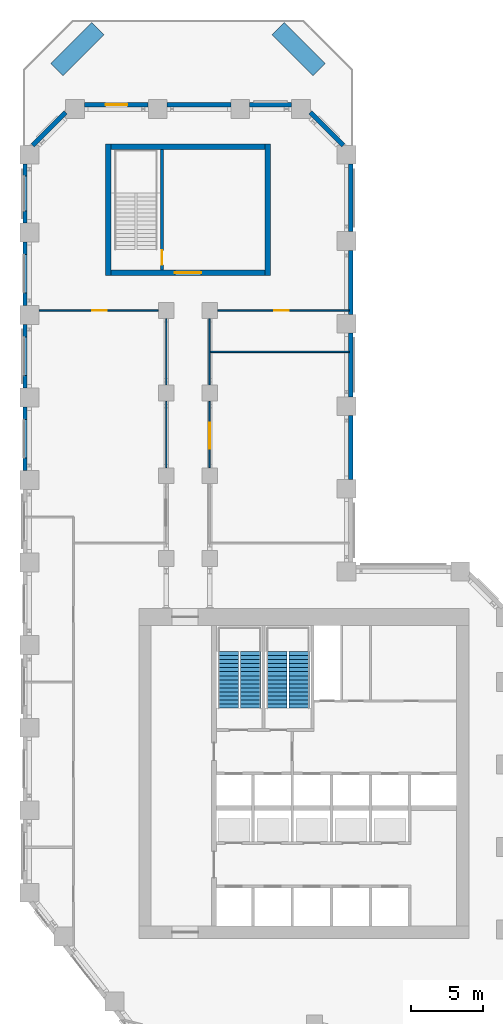
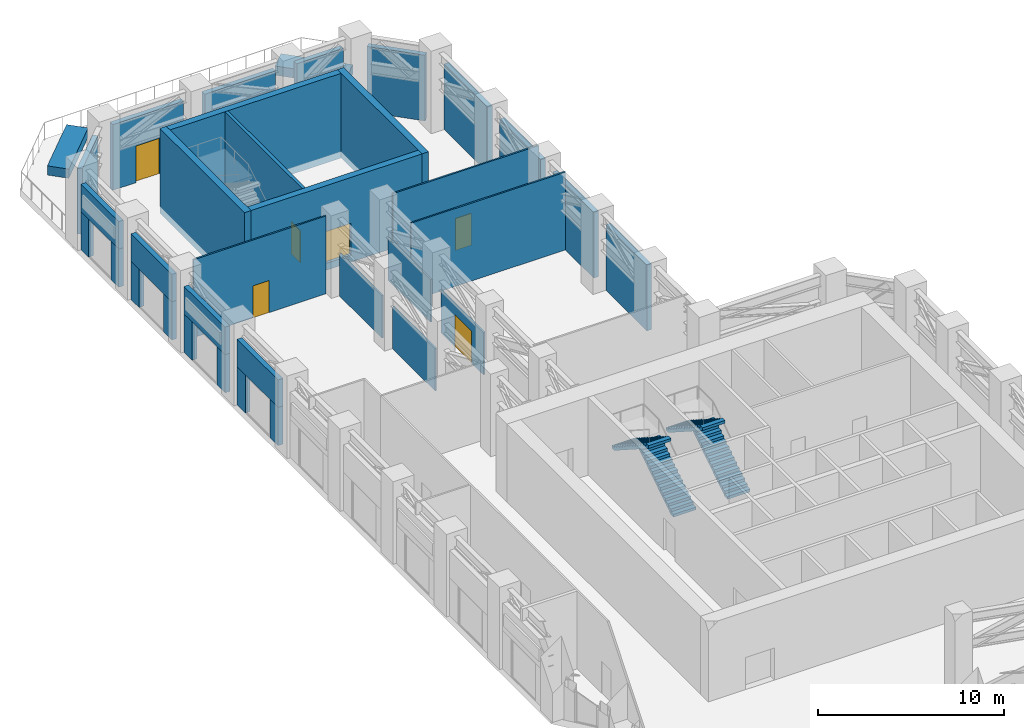
# One storey, part 17 of 21: 35 walls, 6 doors, 4 stair flights, 6 openings, 2 elements without a shape of their own.
"""IFC4 building model written with IfcOpenShell, lengths in metres."""

from ifc_helpers import new_model, si_unit, direction, frame, frame_2d, origin, place, context, subcontext, project, spatial, polyline, rectangle, outline, extrude, material, layer, layer_set, type_object, element, fill, aggregate, save


model = new_model("IFC4")

# Units and contexts
model_context = context("Model", 3, precision=1e-05, world=origin(), true_north=direction((0.0, 1.0)))
body_context = subcontext(model_context, "Body", "Model", "MODEL_VIEW")
ifc_project = project(units=[si_unit("LENGTHUNIT", "METRE"), si_unit("AREAUNIT", "SQUARE_METRE"), si_unit("VOLUMEUNIT", "CUBIC_METRE"), si_unit("PLANEANGLEUNIT", "RADIAN"), si_unit("MASSUNIT", "GRAM", prefix="KILO")], contexts=[model_context])

# Site, building, storey
site_placement = place(None, origin())
site = spatial("IfcSite", under=ifc_project, at=site_placement, CompositionType="ELEMENT")
building_placement = place(site_placement, origin())
building = spatial("IfcBuilding", under=site, at=building_placement, Name="Meshkara Civic Tower", CompositionType="ELEMENT")
storey_placement = place(building_placement, frame((0.0, 0.0, 156.0)))
storey = spatial("IfcBuildingStorey", under=building, at=storey_placement, Name="L35", CompositionType="ELEMENT", Elevation=156.0)

# Wall, opening, door
ifc_material_1 = material(Name="Corridor wall 100")
ifc_layer_1 = layer(ifc_material_1, 0.10009765625)
ifc_layer_set_1 = layer_set([ifc_layer_1], Name="Corridor wall 100")
wall_type_1 = type_object("IfcWallType", Name="Corridor wall 100", PredefinedType="PARTITIONING", material=ifc_layer_set_1)
wall_1_placement = place(storey_placement, frame((1.1201171875, 57.469970703125, 0.0), z_axis=(0.0, 0.0, 1.0), x_axis=(1.0, 0.0, 0.0)))
wall_1 = element("IfcWall", 1, at=wall_1_placement, inside=storey, type_object=wall_type_1, Name="L35-R001", PredefinedType="PARTITIONING", context=body_context, shape_type="SweptSolid", body=[
    extrude(rectangle(XDim=8.2099609375, YDim=0.10009765625, at=frame_2d((4.10498046875, 0.0))), origin(), (0.0, 0.0, 1.0), 5.10009765625),
])
opening_1_placement = place(wall_1_placement, frame((3.679931640625, 0.0, 0.0)))
opening_1 = element("IfcOpeningElement", 2, at=opening_1_placement, cuts=wall_1, Name="Opening L35-P015", PredefinedType="OPENING", context=body_context, shape_type="SweptSolid", body=[
    extrude(rectangle(XDim=1.0, YDim=2.10009765625, at=frame_2d((0.5, 1.050048828125))), frame((0.0, 0.06005859375, 0.0), z_axis=(0.0, -1.0, 0.0), x_axis=(1.0, 0.0, 0.0)), (0.0, 0.0, 1.0), 0.1201171875),
])
ifc_material_2 = material(Name="Door 1000 x 2100")
door_type_1 = type_object("IfcDoorType", Name="Door 1000 x 2100", OperationType="SINGLE_SWING_LEFT", PredefinedType="DOOR", material=ifc_material_2)
door_1_placement = place(opening_1_placement, origin())
door_1 = element("IfcDoor", 3, at=door_1_placement, inside=storey, type_object=door_type_1, Name="L35-P015", OperationType="SINGLE_SWING_LEFT", OverallHeight=2.10009765625, OverallWidth=1.0, PredefinedType="DOOR", context=body_context, shape_type="SweptSolid", body=[
    extrude(rectangle(XDim=1.0, YDim=2.10009765625, at=frame_2d((0.5, 1.050048828125))), frame((0.0, 0.02490234375, 0.0), z_axis=(0.0, -1.0, 0.0), x_axis=(1.0, 0.0, 0.0)), (0.0, 0.0, 1.0), 0.050048828125),
])
fill(opening_1, door_1)

# Walls
for number, where, z_axis, x_axis, name in (
    (4, (9.89990234375, 51.179931640625, 0.0), (0.0, 0.0, 1.0), (0.0, -1.0, 0.0), "L35-R006"),
    (5, (9.89990234375, 56.8798828125, 0.0), (0.0, 0.0, 1.0), (0.0, -1.0, 0.0), "L35-R007"),
):
    element("IfcWall", number, at=place(storey_placement, frame(where, z_axis=z_axis, x_axis=x_axis)), inside=storey, type_object=wall_type_1, Name=name, PredefinedType="PARTITIONING", context=body_context, shape_type="SweptSolid", body=[
        extrude(rectangle(XDim=4.559814453125, YDim=0.10009765625, at=frame_2d((2.27978515625, 0.0))), origin(), (0.0, 0.0, 1.0), 2.780029296875),
    ])

# Wall, opening, door
wall_2_placement = place(storey_placement, frame((12.89990234375, 46.6201171875, 0.0), z_axis=(0.0, 0.0, 1.0), x_axis=(0.0, 1.0, 0.0)))
wall_2 = element("IfcWall", 6, at=wall_2_placement, inside=storey, type_object=wall_type_1, Name="L35-R009", PredefinedType="PARTITIONING", context=body_context, shape_type="SweptSolid", body=[
    extrude(rectangle(XDim=4.559814453125, YDim=0.10009765625, at=frame_2d((2.27978515625, 0.0))), origin(), (0.0, 0.0, 1.0), 2.780029296875),
])
opening_2_placement = place(wall_2_placement, frame((1.280029296875, 0.0, 0.0)))
opening_2 = element("IfcOpeningElement", 7, at=opening_2_placement, cuts=wall_2, Name="Opening L35-P014", PredefinedType="OPENING", context=body_context, shape_type="SweptSolid", body=[
    extrude(rectangle(XDim=1.800048828125, YDim=2.10009765625, at=frame_2d((0.89990234375, 1.050048828125))), frame((0.0, 0.06005859375, 0.0), z_axis=(0.0, -1.0, 0.0), x_axis=(1.0, 0.0, 0.0)), (0.0, 0.0, 1.0), 0.1201171875),
])
ifc_material_3 = material(Name="Door pair 1800 x 2100")
door_type_2 = type_object("IfcDoorType", Name="Door pair 1800 x 2100", OperationType="SINGLE_SWING_LEFT", PredefinedType="DOOR", material=ifc_material_3)
door_2_placement = place(opening_2_placement, origin())
door_2 = element("IfcDoor", 8, at=door_2_placement, inside=storey, type_object=door_type_2, Name="L35-P014", OperationType="DOUBLE_DOOR_SINGLE_SWING", OverallHeight=2.10009765625, OverallWidth=1.800048828125, PredefinedType="DOOR", context=body_context, shape_type="SweptSolid", body=[
    extrude(rectangle(XDim=1.800048828125, YDim=2.10009765625, at=frame_2d((0.89990234375, 1.050048828125))), frame((0.0, 0.02490234375, 0.0), z_axis=(0.0, -1.0, 0.0), x_axis=(1.0, 0.0, 0.0)), (0.0, 0.0, 1.0), 0.050048828125),
])
fill(opening_2, door_2)

# Wall
wall_3_placement = place(storey_placement, frame((12.89990234375, 56.8798828125, 0.0), z_axis=(0.0, 0.0, 1.0), x_axis=(0.0, -1.0, 0.0)))
element("IfcWall", 9, at=wall_3_placement, inside=storey, type_object=wall_type_1, Name="L35-R010", PredefinedType="PARTITIONING", context=body_context, shape_type="SweptSolid", body=[
    extrude(rectangle(XDim=4.559814453125, YDim=0.10009765625, at=frame_2d((2.27978515625, 0.0))), origin(), (0.0, 0.0, 1.0), 2.780029296875),
])

# Wall, opening, door
wall_4_placement = place(storey_placement, frame((13.469970703125, 57.469970703125, 0.0), z_axis=(0.0, 0.0, 1.0), x_axis=(1.0, 0.0, 0.0)))
wall_4 = element("IfcWall", 10, at=wall_4_placement, inside=storey, type_object=wall_type_1, Name="L35-R011", PredefinedType="PARTITIONING", context=body_context, shape_type="SweptSolid", body=[
    extrude(rectangle(XDim=9.050048828125, YDim=0.10009765625, at=frame_2d((4.52490234375, 0.0))), origin(), (0.0, 0.0, 1.0), 5.10009765625),
])
opening_3_placement = place(wall_4_placement, frame((3.8798828125, 0.0, 0.0)))
opening_3 = element("IfcOpeningElement", 11, at=opening_3_placement, cuts=wall_4, Name="Opening L35-P016", PredefinedType="OPENING", context=body_context, shape_type="SweptSolid", body=[
    extrude(rectangle(XDim=1.0, YDim=2.10009765625, at=frame_2d((0.5, 1.050048828125))), frame((0.0, 0.06005859375, 0.0), z_axis=(0.0, -1.0, 0.0), x_axis=(1.0, 0.0, 0.0)), (0.0, 0.0, 1.0), 0.1201171875),
])
door_3_placement = place(opening_3_placement, origin())
door_3 = element("IfcDoor", 12, at=door_3_placement, inside=storey, type_object=door_type_1, Name="L35-P016", OperationType="SINGLE_SWING_RIGHT", OverallHeight=2.10009765625, OverallWidth=1.0, PredefinedType="DOOR", context=body_context, shape_type="SweptSolid", body=[
    extrude(rectangle(XDim=1.0, YDim=2.10009765625, at=frame_2d((0.5, 1.050048828125))), frame((0.0, 0.02490234375, 0.0), z_axis=(0.0, -1.0, 0.0), x_axis=(1.0, 0.0, 0.0)), (0.0, 0.0, 1.0), 0.050048828125),
])
fill(opening_3, door_3)

# Walls
ifc_material_4 = material(Name="Insulated infill panel with bronze anodised aluminium cladding", Category="aluminium")
ifc_layer_2 = layer(ifc_material_4, 0.300048828125)
ifc_layer_set_2 = layer_set([ifc_layer_2], Name="EXTERNAL INFILL WALL 300")
wall_type_2 = type_object("IfcWallType", Name="EXTERNAL INFILL WALL 300", PredefinedType="SOLIDWALL", material=ifc_layer_set_2)
wall_5_placement = place(storey_placement, frame((22.64990234375, 45.800048828125, 0.0), z_axis=(0.0, 0.0, 1.0), x_axis=(0.0, 1.0, 0.0)))
element("IfcWall", 13, at=wall_5_placement, inside=storey, type_object=wall_type_2, Name="External wall", PredefinedType="SOLIDWALL", context=body_context, shape_type="SweptSolid", body=[
    extrude(rectangle(XDim=4.39990234375, YDim=0.300048828125, at=frame_2d((2.199951171875, 0.0))), origin(), (0.0, 0.0, 1.0), 4.300048828125),
])
wall_6_placement = place(storey_placement, frame((22.64990234375, 51.5009765625, 0.0), z_axis=(0.0, 0.0, 1.0), x_axis=(0.0, 1.0, 0.0)))
element("IfcWall", 14, at=wall_6_placement, inside=storey, type_object=wall_type_2, Name="External wall", PredefinedType="SOLIDWALL", context=body_context, shape_type="SweptSolid", body=[
    extrude(rectangle(XDim=4.39794921875, YDim=0.300048828125, at=frame_2d((2.198974609375, 0.0))), origin(), (0.0, 0.0, 1.0), 4.300048828125),
])
wall_7_placement = place(storey_placement, frame((22.64990234375, 57.199951171875, 0.0), z_axis=(0.0, 0.0, 1.0), x_axis=(0.0, 1.0, 0.0)))
element("IfcWall", 15, at=wall_7_placement, inside=storey, type_object=wall_type_2, Name="External wall", PredefinedType="SOLIDWALL", context=body_context, shape_type="SweptSolid", body=[
    extrude(rectangle(XDim=4.400146484375, YDim=0.300048828125, at=frame_2d((2.2001953125, 0.0))), origin(), (0.0, 0.0, 1.0), 4.300048828125),
])
wall_8_placement = place(storey_placement, frame((22.64990234375, 62.89990234375, 0.0), z_axis=(0.0, 0.0, 1.0), x_axis=(0.0, 1.0, 0.0)))
element("IfcWall", 16, at=wall_8_placement, inside=storey, type_object=wall_type_2, Name="External wall", PredefinedType="SOLIDWALL", context=body_context, shape_type="SweptSolid", body=[
    extrude(rectangle(XDim=4.6640625, YDim=0.300048828125, at=frame_2d((2.33203125, 0.0))), origin(), (0.0, 0.0, 1.0), 4.300048828125),
])
wall_9_placement = place(storey_placement, frame((22.1240234375, 68.864013671875, 0.0), z_axis=(0.0, 0.0, 1.0), x_axis=(-0.707106781187, 0.707106781187, 0.0)))
element("IfcWall", 17, at=wall_9_placement, inside=storey, type_object=wall_type_2, Name="External wall", PredefinedType="SOLIDWALL", context=body_context, shape_type="SweptSolid", body=[
    extrude(rectangle(XDim=3.224365234375, YDim=0.300048828125, at=frame_2d((1.6123046875, 0.0))), origin(), (0.0, 0.0, 1.0), 4.300048828125),
])
wall_10_placement = place(storey_placement, frame((18.5439453125, 71.669921875, 0.0), z_axis=(0.0, 0.0, 1.0), x_axis=(-1.0, 0.0, 0.0)))
element("IfcWall", 18, at=wall_10_placement, inside=storey, type_object=wall_type_2, Name="External wall", PredefinedType="SOLIDWALL", context=body_context, shape_type="SweptSolid", body=[
    extrude(rectangle(XDim=2.886962890625, YDim=0.300048828125, at=frame_2d((1.443359375, 0.0))), origin(), (0.0, 0.0, 1.0), 4.300048828125),
])
wall_11_placement = place(storey_placement, frame((14.35498046875, 71.669921875, 0.0), z_axis=(0.0, 0.0, 1.0), x_axis=(-1.0, 0.0, 0.0)))
element("IfcWall", 19, at=wall_11_placement, inside=storey, type_object=wall_type_2, Name="External wall", PredefinedType="SOLIDWALL", context=body_context, shape_type="SweptSolid", body=[
    extrude(rectangle(XDim=4.39794921875, YDim=0.300048828125, at=frame_2d((2.198974609375, 0.0))), origin(), (0.0, 0.0, 1.0), 4.300048828125),
])

# Wall, opening, door
wall_12_placement = place(storey_placement, frame((8.655029296875, 71.669921875, 0.0), z_axis=(0.0, 0.0, 1.0), x_axis=(-1.0, 0.0, 0.0)))
wall_12 = element("IfcWall", 20, at=wall_12_placement, inside=storey, type_object=wall_type_2, Name="External wall", PredefinedType="SOLIDWALL", context=body_context, shape_type="SweptSolid", body=[
    extrude(rectangle(XDim=4.39794921875, YDim=0.300048828125, at=frame_2d((2.198974609375, 0.0))), origin(), (0.0, 0.0, 1.0), 4.300048828125),
])
opening_4_placement = place(wall_12_placement, frame((1.448974609375, 0.0, 0.0)))
opening_4 = element("IfcOpeningElement", 21, at=opening_4_placement, cuts=wall_12, Name="Opening L35-L001", PredefinedType="OPENING", context=body_context, shape_type="SweptSolid", body=[
    extrude(rectangle(XDim=1.5, YDim=2.39990234375, at=frame_2d((0.75, 1.199951171875))), frame((0.0, 0.159912109375, 0.0), z_axis=(0.0, -1.0, 0.0), x_axis=(1.0, 0.0, 0.0)), (0.0, 0.0, 1.0), 0.320068359375),
])
ifc_material_5 = material(Name="Bronze anodised aluminium", Category="aluminium")
door_type_3 = type_object("IfcDoorType", Name="TERRACE DOOR 1500x2400", OperationType="DOUBLE_DOOR_SINGLE_SWING", PredefinedType="DOOR", material=ifc_material_5)
door_4_placement = place(opening_4_placement, origin())
door_4 = element("IfcDoor", 22, at=door_4_placement, inside=storey, type_object=door_type_3, Name="L35-L001", OperationType="DOUBLE_DOOR_SINGLE_SWING", OverallHeight=2.39990234375, OverallWidth=1.5, PredefinedType="DOOR", context=body_context, shape_type="SweptSolid", body=[
    extrude(rectangle(XDim=1.5, YDim=2.39990234375, at=frame_2d((0.75, 1.199951171875))), frame((0.0, 0.02490234375, 0.0), z_axis=(0.0, -1.0, 0.0), x_axis=(1.0, 0.0, 0.0)), (0.0, 0.0, 1.0), 0.050048828125),
])
fill(opening_4, door_4)

# Walls
wall_13_placement = place(storey_placement, frame((2.9560546875, 71.14404296875, 0.0), z_axis=(0.0, 0.0, 1.0), x_axis=(-0.707106781187, -0.707106781187, 0.0)))
element("IfcWall", 23, at=wall_13_placement, inside=storey, type_object=wall_type_2, Name="External wall", PredefinedType="SOLIDWALL", context=body_context, shape_type="SweptSolid", body=[
    extrude(rectangle(XDim=3.224365234375, YDim=0.300048828125, at=frame_2d((1.6123046875, 0.0))), origin(), (0.0, 0.0, 1.0), 4.300048828125),
])
wall_14_placement = place(storey_placement, frame((0.14990234375, 67.56396484375, 2.5), z_axis=(0.0, 0.0, 1.0), x_axis=(0.0, -1.0, 0.0)))
element("IfcWall", 24, at=wall_14_placement, inside=storey, type_object=wall_type_2, Name="External wall", PredefinedType="SOLIDWALL", context=body_context, shape_type="SweptSolid", body=[
    extrude(rectangle(XDim=4.05908203125, YDim=0.300048828125, at=frame_2d((2.029541015625, 0.0))), origin(), (0.0, 0.0, 1.0), 1.800048828125),
])
wall_15_placement = place(storey_placement, frame((0.14990234375, 62.2041015625, 2.5), z_axis=(0.0, 0.0, 1.0), x_axis=(0.0, -1.0, 0.0)))
element("IfcWall", 25, at=wall_15_placement, inside=storey, type_object=wall_type_2, Name="External wall", PredefinedType="SOLIDWALL", context=body_context, shape_type="SweptSolid", body=[
    extrude(rectangle(XDim=4.398193359375, YDim=0.300048828125, at=frame_2d((2.19921875, 0.0))), origin(), (0.0, 0.0, 1.0), 1.800048828125),
])
wall_16_placement = place(storey_placement, frame((0.14990234375, 56.5048828125, 2.5), z_axis=(0.0, 0.0, 1.0), x_axis=(0.0, -1.0, 0.0)))
element("IfcWall", 26, at=wall_16_placement, inside=storey, type_object=wall_type_2, Name="External wall", PredefinedType="SOLIDWALL", context=body_context, shape_type="SweptSolid", body=[
    extrude(rectangle(XDim=4.39990234375, YDim=0.300048828125, at=frame_2d((2.199951171875, 0.0))), origin(), (0.0, 0.0, 1.0), 1.800048828125),
])
wall_17_placement = place(storey_placement, frame((0.14990234375, 50.804931640625, 2.5), z_axis=(0.0, 0.0, 1.0), x_axis=(0.0, -1.0, 0.0)))
element("IfcWall", 27, at=wall_17_placement, inside=storey, type_object=wall_type_2, Name="External wall", PredefinedType="SOLIDWALL", context=body_context, shape_type="SweptSolid", body=[
    extrude(rectangle(XDim=4.39892578125, YDim=0.300048828125, at=frame_2d((2.199462890625, 0.0))), origin(), (0.0, 0.0, 1.0), 1.800048828125),
])
ifc_material_6 = material(Name="Concrete C70", Category="concrete")
ifc_layer_3 = layer(ifc_material_6, 0.39990234375)
ifc_layer_set_3 = layer_set([ifc_layer_3], Name="End core ring wall 400 C70")
wall_type_3 = type_object("IfcWallType", Name="End core ring wall 400 C70", PredefinedType="SHEAR", material=ifc_layer_set_3)
for number, where, z_axis, x_axis, name in (
    (28, (5.89990234375, 59.8701171875, -0.449951171875), (0.0, 0.0, 1.0), (0.0, 1.0, 0.0), "L35-C026"),
    (29, (16.89990234375, 59.8701171875, -0.449951171875), (0.0, 0.0, 1.0), (0.0, 1.0, 0.0), "L35-C027"),
):
    element("IfcWall", number, at=place(storey_placement, frame(where, z_axis=z_axis, x_axis=x_axis)), inside=storey, type_object=wall_type_3, Name=name, PredefinedType="SHEAR", context=body_context, shape_type="SweptSolid", body=[
        extrude(rectangle(XDim=9.099853515625, YDim=0.39990234375, at=frame_2d((4.5498046875, 0.0))), origin(), (0.0, 0.0, 1.0), 5.550048828125),
    ])

# Wall, opening, door
wall_18_placement = place(storey_placement, frame((6.10009765625, 60.070068359375, -0.449951171875), z_axis=(0.0, 0.0, 1.0), x_axis=(1.0, 0.0, 0.0)))
wall_18 = element("IfcWall", 30, at=wall_18_placement, inside=storey, type_object=wall_type_3, Name="L35-C028", PredefinedType="SHEAR", context=body_context, shape_type="SweptSolid", body=[
    extrude(rectangle(XDim=10.599853515625, YDim=0.39990234375, at=frame_2d((5.2998046875, 0.0))), origin(), (0.0, 0.0, 1.0), 5.550048828125),
])
opening_5_placement = place(wall_18_placement, frame((4.39990234375, 0.0, 0.449951171875)))
opening_5 = element("IfcOpeningElement", 31, at=opening_5_placement, cuts=wall_18, Name="Opening L35-K102", PredefinedType="OPENING", context=body_context, shape_type="SweptSolid", body=[
    extrude(rectangle(XDim=1.800048828125, YDim=2.10009765625, at=frame_2d((0.89990234375, 1.050048828125))), frame((0.0, 0.2099609375, 0.0), z_axis=(0.0, -1.0, 0.0), x_axis=(1.0, 0.0, 0.0)), (0.0, 0.0, 1.0), 0.419921875),
])
ifc_material_7 = material(Name="Fire-rated door leaf in steel frame", Category="steel")
door_type_4 = type_object("IfcDoorType", Name="Core double door 1800 EI 60", OperationType="DOUBLE_DOOR_SINGLE_SWING", PredefinedType="DOOR", material=ifc_material_7)
door_5_placement = place(opening_5_placement, origin())
door_5 = element("IfcDoor", 32, at=door_5_placement, inside=storey, type_object=door_type_4, Name="L35-K102", OperationType="DOUBLE_DOOR_SINGLE_SWING", OverallHeight=2.10009765625, OverallWidth=1.800048828125, PredefinedType="DOOR", context=body_context, shape_type="SweptSolid", body=[
    extrude(rectangle(XDim=1.800048828125, YDim=2.10009765625, at=frame_2d((0.89990234375, 1.050048828125))), frame((0.0, 0.02490234375, 0.0), z_axis=(0.0, -1.0, 0.0), x_axis=(1.0, 0.0, 0.0)), (0.0, 0.0, 1.0), 0.050048828125),
])
fill(opening_5, door_5)

# Walls
wall_19_placement = place(storey_placement, frame((6.10009765625, 68.77001953125, -0.449951171875), z_axis=(0.0, 0.0, 1.0), x_axis=(1.0, 0.0, 0.0)))
element("IfcWall", 33, at=wall_19_placement, inside=storey, type_object=wall_type_3, Name="L35-C029", PredefinedType="SHEAR", context=body_context, shape_type="SweptSolid", body=[
    extrude(rectangle(XDim=10.599853515625, YDim=0.39990234375, at=frame_2d((5.2998046875, 0.0))), origin(), (0.0, 0.0, 1.0), 5.550048828125),
])
ifc_material_8 = material(Name="Concrete C40", Category="concrete")
ifc_layer_4 = layer(ifc_material_8, 1.199951171875)
ifc_layer_set_4 = layer_set([ifc_layer_4], Name="PLANTING BED")
wall_type_4 = type_object("IfcWallType", Name="PLANTING BED", PredefinedType="SOLIDWALL", material=ifc_layer_set_4)
for number, where, z_axis, x_axis, name in (
    (34, (2.35791015625, 74.095947265625, 0.0), (0.0, 0.0, 1.0), (0.707106781187, 0.707106781187, 0.0), "Planting bed"),
    (35, (17.614013671875, 76.924072265625, 0.0), (0.0, 0.0, 1.0), (0.707076258372, -0.707137302683, 0.0), "Planting bed"),
):
    element("IfcWall", number, at=place(storey_placement, frame(where, z_axis=z_axis, x_axis=x_axis)), inside=storey, type_object=wall_type_4, Name=name, PredefinedType="SOLIDWALL", context=body_context, shape_type="SweptSolid", body=[
        extrude(rectangle(XDim=3.99951171875, YDim=1.199951171875, at=frame_2d((1.999755859375, 0.0))), origin(), (0.0, 0.0, 1.0), 0.60009765625),
    ])
ifc_material_9 = material(Name="Partition 100")
ifc_layer_5 = layer(ifc_material_9, 0.10009765625)
ifc_layer_set_5 = layer_set([ifc_layer_5], Name="Partition 100")
wall_type_5 = type_object("IfcWallType", Name="Partition 100", PredefinedType="PARTITIONING", material=ifc_layer_set_5)
wall_20_placement = place(storey_placement, frame((22.52001953125, 54.60009765625, 0.0), z_axis=(0.0, 0.0, 1.0), x_axis=(-1.0, 0.0, 0.0)))
element("IfcWall", 36, at=wall_20_placement, inside=storey, type_object=wall_type_5, Name="L35-R036", PredefinedType="PARTITIONING", context=body_context, shape_type="SweptSolid", body=[
    extrude(rectangle(XDim=9.570068359375, YDim=0.10009765625, at=frame_2d((4.78515625, 0.0))), origin(), (0.0, 0.0, 1.0), 5.10009765625),
])
ifc_material_10 = material(Name="Concrete C50", Category="concrete")
ifc_layer_6 = layer(ifc_material_10, 0.300048828125)
ifc_layer_set_6 = layer_set([ifc_layer_6], Name="SKY LOBBY PIER 300")
wall_type_6 = type_object("IfcWallType", Name="SKY LOBBY PIER 300", PredefinedType="SOLIDWALL", material=ifc_layer_set_6)
for number, where, z_axis, x_axis, name in (
    (37, (0.14990234375, 67.56396484375, 0.0), (0.0, 0.0, 1.0), (0.0, -1.0, 0.0), "Sky lobby pier"),
    (38, (0.14990234375, 64.31689453125, 0.0), (0.0, 0.0, 1.0), (0.0, -1.0, 0.0), "Sky lobby pier"),
):
    element("IfcWall", number, at=place(storey_placement, frame(where, z_axis=z_axis, x_axis=x_axis)), inside=storey, type_object=wall_type_6, Name=name, PredefinedType="SOLIDWALL", context=body_context, shape_type="SweptSolid", body=[
        extrude(rectangle(XDim=0.81201171875, YDim=0.300048828125, at=frame_2d((0.406005859375, 0.0))), origin(), (0.0, 0.0, 1.0), 2.5),
    ])
for number, where, z_axis, x_axis, name in (
    (39, (0.14990234375, 62.2041015625, 0.0), (0.0, 0.0, 1.0), (0.0, -1.0, 0.0), "Sky lobby pier"),
    (40, (0.14990234375, 58.68505859375, 0.0), (0.0, 0.0, 1.0), (0.0, -1.0, 0.0), "Sky lobby pier"),
):
    element("IfcWall", number, at=place(storey_placement, frame(where, z_axis=z_axis, x_axis=x_axis)), inside=storey, type_object=wall_type_6, Name=name, PredefinedType="SOLIDWALL", context=body_context, shape_type="SweptSolid", body=[
        extrude(rectangle(XDim=0.879150390625, YDim=0.300048828125, at=frame_2d((0.439453125, 0.0))), origin(), (0.0, 0.0, 1.0), 2.5),
    ])
wall_21_placement = place(storey_placement, frame((0.14990234375, 56.5048828125, 0.0), z_axis=(0.0, 0.0, 1.0), x_axis=(0.0, -1.0, 0.0)))
element("IfcWall", 41, at=wall_21_placement, inside=storey, type_object=wall_type_6, Name="Sky lobby pier", PredefinedType="SOLIDWALL", context=body_context, shape_type="SweptSolid", body=[
    extrude(rectangle(XDim=0.880859375, YDim=0.300048828125, at=frame_2d((0.4404296875, 0.0))), origin(), (0.0, 0.0, 1.0), 2.5),
])
wall_22_placement = place(storey_placement, frame((0.14990234375, 52.985107421875, 0.0), z_axis=(0.0, 0.0, 1.0), x_axis=(0.0, -1.0, 0.0)))
element("IfcWall", 42, at=wall_22_placement, inside=storey, type_object=wall_type_6, Name="Sky lobby pier", PredefinedType="SOLIDWALL", context=body_context, shape_type="SweptSolid", body=[
    extrude(rectangle(XDim=0.880126953125, YDim=0.300048828125, at=frame_2d((0.43994140625, 0.0))), origin(), (0.0, 0.0, 1.0), 2.5),
])
wall_23_placement = place(storey_placement, frame((0.14990234375, 50.804931640625, 0.0), z_axis=(0.0, 0.0, 1.0), x_axis=(0.0, -1.0, 0.0)))
element("IfcWall", 43, at=wall_23_placement, inside=storey, type_object=wall_type_6, Name="Sky lobby pier", PredefinedType="SOLIDWALL", context=body_context, shape_type="SweptSolid", body=[
    extrude(rectangle(XDim=0.8798828125, YDim=0.300048828125, at=frame_2d((0.43994140625, 0.0))), origin(), (0.0, 0.0, 1.0), 2.5),
])
wall_24_placement = place(storey_placement, frame((0.14990234375, 47.284912109375, 0.0), z_axis=(0.0, 0.0, 1.0), x_axis=(0.0, -1.0, 0.0)))
element("IfcWall", 44, at=wall_24_placement, inside=storey, type_object=wall_type_6, Name="Sky lobby pier", PredefinedType="SOLIDWALL", context=body_context, shape_type="SweptSolid", body=[
    extrude(rectangle(XDim=0.87890625, YDim=0.300048828125, at=frame_2d((0.439453125, 0.0))), origin(), (0.0, 0.0, 1.0), 2.5),
])

# Wall, opening, door
ifc_material_11 = material(Name="Concrete C40/50", Category="concrete")
ifc_layer_7 = layer(ifc_material_11, 0.199951171875)
ifc_layer_set_7 = layer_set([ifc_layer_7], Name="Stair enclosure wall 200 C40/50")
wall_type_7 = type_object("IfcWallType", Name="Stair enclosure wall 200 C40/50", PredefinedType="SOLIDWALL", material=ifc_layer_set_7)
wall_25_placement = place(storey_placement, frame((9.60009765625, 60.27001953125, 0.0), z_axis=(0.0, 0.0, 1.0), x_axis=(0.0, 1.0, 0.0)))
wall_25 = element("IfcWall", 45, at=wall_25_placement, inside=storey, type_object=wall_type_7, Name="L35-C030", PredefinedType="SOLIDWALL", context=body_context, shape_type="SweptSolid", body=[
    extrude(rectangle(XDim=8.300048828125, YDim=0.199951171875, at=frame_2d((4.14990234375, 0.0))), origin(), (0.0, 0.0, 1.0), 5.10009765625),
])
opening_6_placement = place(wall_25_placement, frame((0.35009765625, 0.0, 0.0)))
opening_6 = element("IfcOpeningElement", 46, at=opening_6_placement, cuts=wall_25, Name="Opening L35-K101", PredefinedType="OPENING", context=body_context, shape_type="SweptSolid", body=[
    extrude(rectangle(XDim=1.0, YDim=2.10009765625, at=frame_2d((0.5, 1.050048828125))), frame((0.0, 0.10986328125, 0.0), z_axis=(0.0, -1.0, 0.0), x_axis=(1.0, 0.0, 0.0)), (0.0, 0.0, 1.0), 0.219970703125),
])
ifc_material_12 = material(Name="Fire-rated door leaf in steel frame", Category="steel")
door_type_5 = type_object("IfcDoorType", Name="Stair door 1000 EI 120", OperationType="SINGLE_SWING_LEFT", PredefinedType="DOOR", material=ifc_material_12)
door_6_placement = place(opening_6_placement, origin())
door_6 = element("IfcDoor", 47, at=door_6_placement, inside=storey, type_object=door_type_5, Name="L35-K101", OperationType="SINGLE_SWING_RIGHT", OverallHeight=2.10009765625, OverallWidth=1.0, PredefinedType="DOOR", context=body_context, shape_type="SweptSolid", body=[
    extrude(rectangle(XDim=1.0, YDim=2.10009765625, at=frame_2d((0.5, 1.050048828125))), frame((0.0, 0.02490234375, 0.0), z_axis=(0.0, -1.0, 0.0), x_axis=(1.0, 0.0, 0.0)), (0.0, 0.0, 1.0), 0.050048828125),
])
fill(opening_6, door_6)

# Stair, stair flights
ifc_material_13 = material(Name="Precast concrete C40/50", Category="concrete")
stair_type = type_object("IfcStairType", Name="Exit stair half-turn 30 risers precast", PredefinedType="HALF_TURN_STAIR", material=ifc_material_13)
stair_1_placement = place(storey_placement, origin())
stair_1 = element("IfcStair", 48, at=stair_1_placement, inside=storey, type_object=stair_type, Name="L35 exit stair 1", PredefinedType="HALF_TURN_STAIR")
ifc_material_14 = material(Name="Precast concrete C40/50", Category="concrete")
stair_flight_type = type_object("IfcStairFlightType", Name="Exit stair flight 15 risers precast", PredefinedType="STRAIGHT", material=ifc_material_14)
stair_flight_1_placement = place(storey_placement, frame((15.72509765625, 30.0, 0.0), z_axis=(0.0, 0.0, 1.0), x_axis=(0.0, 1.0, 0.0)))
stair_flight_1 = element("IfcStairFlight", 49, at=stair_flight_1_placement, type_object=stair_flight_type, Name="ST1 flight 1", NumberOfRisers=15, NumberOfTreads=14, PredefinedType="STRAIGHT", RiserHeight=0.18, TreadLength=0.28, context=body_context, shape_type="SweptSolid", body=[
    extrude(outline(polyline([(0.0, 0.0), (0.0, 0.179931640625), (0.280029296875, 0.179931640625), (0.280029296875, 0.360107421875), (0.56005859375, 0.360107421875), (0.56005859375, 0.5400390625), (0.840087890625, 0.5400390625), (0.840087890625, 0.719970703125), (1.1201171875, 0.719970703125), (1.1201171875, 0.89990234375), (1.39990234375, 0.89990234375), (1.39990234375, 1.080078125), (1.679931640625, 1.080078125), (1.679931640625, 1.260009765625), (1.9599609375, 1.260009765625), (1.9599609375, 1.43994140625), (2.239990234375, 1.43994140625), (2.239990234375, 1.6201171875), (2.52001953125, 1.6201171875), (2.52001953125, 1.800048828125), (2.800048828125, 1.800048828125), (2.800048828125, 1.97998046875), (3.080078125, 1.97998046875), (3.080078125, 2.159912109375), (3.360107421875, 2.159912109375), (3.360107421875, 2.340087890625), (3.639892578125, 2.340087890625), (3.639892578125, 2.52001953125), (3.919921875, 2.52001953125), (3.919921875, 2.699951171875), (3.919921875, 2.341796875), (0.277099609375, 0.0), (0.0, 0.0)])), frame((0.0, 0.699951171875, 0.0), z_axis=(0.0, -1.0, 0.0), x_axis=(1.0, 0.0, 0.0)), (0.0, 0.0, 1.0), 1.39990234375),
])
stair_flight_2_placement = place(storey_placement, frame((14.175048828125, 33.919921875, 2.699951171875), z_axis=(0.0, 0.0, 1.0), x_axis=(0.0, -1.0, 0.0)))
stair_flight_2 = element("IfcStairFlight", 50, at=stair_flight_2_placement, type_object=stair_flight_type, Name="ST1 flight 2", NumberOfRisers=15, NumberOfTreads=14, PredefinedType="STRAIGHT", RiserHeight=0.18, TreadLength=0.28, context=body_context, shape_type="SweptSolid", body=[
    extrude(outline(polyline([(0.0, 0.0), (0.0, 0.179931640625), (0.280029296875, 0.179931640625), (0.280029296875, 0.360107421875), (0.56005859375, 0.360107421875), (0.56005859375, 0.5400390625), (0.840087890625, 0.5400390625), (0.840087890625, 0.719970703125), (1.1201171875, 0.719970703125), (1.1201171875, 0.89990234375), (1.39990234375, 0.89990234375), (1.39990234375, 1.080078125), (1.679931640625, 1.080078125), (1.679931640625, 1.260009765625), (1.9599609375, 1.260009765625), (1.9599609375, 1.43994140625), (2.239990234375, 1.43994140625), (2.239990234375, 1.6201171875), (2.52001953125, 1.6201171875), (2.52001953125, 1.800048828125), (2.800048828125, 1.800048828125), (2.800048828125, 1.97998046875), (3.080078125, 1.97998046875), (3.080078125, 2.159912109375), (3.360107421875, 2.159912109375), (3.360107421875, 2.340087890625), (3.639892578125, 2.340087890625), (3.639892578125, 2.52001953125), (3.919921875, 2.52001953125), (3.919921875, 2.699951171875), (3.919921875, 2.341796875), (0.277099609375, 0.0), (0.0, 0.0)])), frame((0.0, 0.699951171875, 0.0), z_axis=(0.0, -1.0, 0.0), x_axis=(1.0, 0.0, 0.0)), (0.0, 0.0, 1.0), 1.39990234375),
])
aggregate(stair_1, [stair_flight_1, stair_flight_2])

stair_2_placement = place(storey_placement, origin())
stair_2 = element("IfcStair", 51, at=stair_2_placement, inside=storey, type_object=stair_type, Name="L35 exit stair 2", PredefinedType="HALF_TURN_STAIR")
stair_flight_3_placement = place(storey_placement, frame((19.074951171875, 30.0, 0.0), z_axis=(0.0, 0.0, 1.0), x_axis=(0.0, 1.0, 0.0)))
stair_flight_3 = element("IfcStairFlight", 52, at=stair_flight_3_placement, type_object=stair_flight_type, Name="ST2 flight 1", NumberOfRisers=15, NumberOfTreads=14, PredefinedType="STRAIGHT", RiserHeight=0.18, TreadLength=0.28, context=body_context, shape_type="SweptSolid", body=[
    extrude(outline(polyline([(0.0, 0.0), (0.0, 0.179931640625), (0.280029296875, 0.179931640625), (0.280029296875, 0.360107421875), (0.56005859375, 0.360107421875), (0.56005859375, 0.5400390625), (0.840087890625, 0.5400390625), (0.840087890625, 0.719970703125), (1.1201171875, 0.719970703125), (1.1201171875, 0.89990234375), (1.39990234375, 0.89990234375), (1.39990234375, 1.080078125), (1.679931640625, 1.080078125), (1.679931640625, 1.260009765625), (1.9599609375, 1.260009765625), (1.9599609375, 1.43994140625), (2.239990234375, 1.43994140625), (2.239990234375, 1.6201171875), (2.52001953125, 1.6201171875), (2.52001953125, 1.800048828125), (2.800048828125, 1.800048828125), (2.800048828125, 1.97998046875), (3.080078125, 1.97998046875), (3.080078125, 2.159912109375), (3.360107421875, 2.159912109375), (3.360107421875, 2.340087890625), (3.639892578125, 2.340087890625), (3.639892578125, 2.52001953125), (3.919921875, 2.52001953125), (3.919921875, 2.699951171875), (3.919921875, 2.341796875), (0.277099609375, 0.0), (0.0, 0.0)])), frame((0.0, 0.699951171875, 0.0), z_axis=(0.0, -1.0, 0.0), x_axis=(1.0, 0.0, 0.0)), (0.0, 0.0, 1.0), 1.39990234375),
])
stair_flight_4_placement = place(storey_placement, frame((17.52490234375, 33.919921875, 2.699951171875), z_axis=(0.0, 0.0, 1.0), x_axis=(0.0, -1.0, 0.0)))
stair_flight_4 = element("IfcStairFlight", 53, at=stair_flight_4_placement, type_object=stair_flight_type, Name="ST2 flight 2", NumberOfRisers=15, NumberOfTreads=14, PredefinedType="STRAIGHT", RiserHeight=0.18, TreadLength=0.28, context=body_context, shape_type="SweptSolid", body=[
    extrude(outline(polyline([(0.0, 0.0), (0.0, 0.179931640625), (0.280029296875, 0.179931640625), (0.280029296875, 0.360107421875), (0.56005859375, 0.360107421875), (0.56005859375, 0.5400390625), (0.840087890625, 0.5400390625), (0.840087890625, 0.719970703125), (1.1201171875, 0.719970703125), (1.1201171875, 0.89990234375), (1.39990234375, 0.89990234375), (1.39990234375, 1.080078125), (1.679931640625, 1.080078125), (1.679931640625, 1.260009765625), (1.9599609375, 1.260009765625), (1.9599609375, 1.43994140625), (2.239990234375, 1.43994140625), (2.239990234375, 1.6201171875), (2.52001953125, 1.6201171875), (2.52001953125, 1.800048828125), (2.800048828125, 1.800048828125), (2.800048828125, 1.97998046875), (3.080078125, 1.97998046875), (3.080078125, 2.159912109375), (3.360107421875, 2.159912109375), (3.360107421875, 2.340087890625), (3.639892578125, 2.340087890625), (3.639892578125, 2.52001953125), (3.919921875, 2.52001953125), (3.919921875, 2.699951171875), (3.919921875, 2.341796875), (0.277099609375, 0.0), (0.0, 0.0)])), frame((0.0, 0.699951171875, 0.0), z_axis=(0.0, -1.0, 0.0), x_axis=(1.0, 0.0, 0.0)), (0.0, 0.0, 1.0), 1.39990234375),
])
aggregate(stair_2, [stair_flight_3, stair_flight_4])

save(model, "model.ifc")
